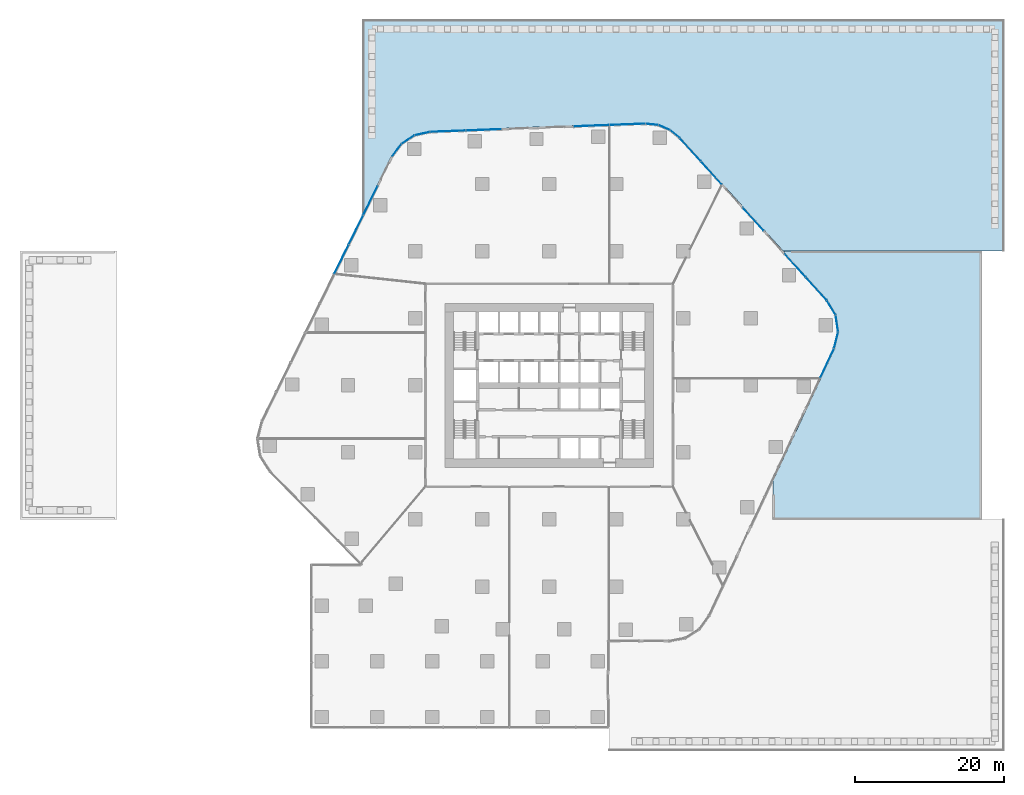
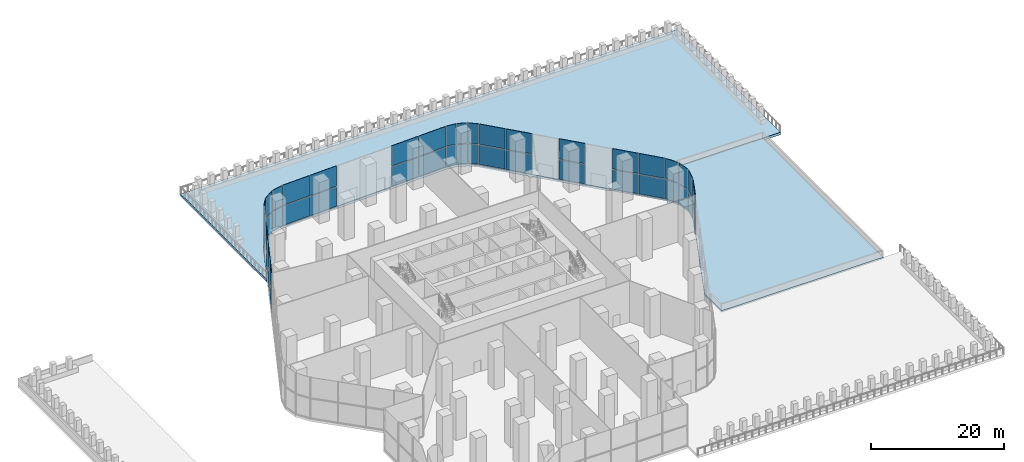
# One storey, part 12 of 22: 44 plates, 2 slabs, 10 elements without a shape of their own.
"""IFC4 building model written with IfcOpenShell, lengths in metres."""

from ifc_helpers import new_model, si_unit, direction, frame, origin, origin_2d, place, context, subcontext, project, spatial, polyline, rectangle, outline, extrude, material, layer, layer_set, type_object, element, aggregate, save


model = new_model("IFC4")

# Units and contexts
model_context = context("Model", 3, precision=1e-05, world=origin(), true_north=direction((0.0, 1.0)))
body_context = subcontext(model_context, "Body", "Model", "MODEL_VIEW")
ifc_project = project(units=[si_unit("LENGTHUNIT", "METRE"), si_unit("AREAUNIT", "SQUARE_METRE"), si_unit("VOLUMEUNIT", "CUBIC_METRE"), si_unit("PLANEANGLEUNIT", "RADIAN"), si_unit("MASSUNIT", "GRAM", prefix="KILO")], contexts=[model_context])

# Site, building, storey
site_placement = place(None, origin())
site = spatial("IfcSite", under=ifc_project, at=site_placement, CompositionType="ELEMENT")
building_placement = place(site_placement, origin())
building = spatial("IfcBuilding", under=site, at=building_placement, Name="Dongbaek Canopy Tower", CompositionType="ELEMENT")
storey_placement = place(building_placement, frame((0.0, 0.0, 19.0)))
storey = spatial("IfcBuildingStorey", under=building, at=storey_placement, Name="L02", CompositionType="ELEMENT", Elevation=19.0)

# Curtain wall, plates
ifc_material_1 = material(Name="Aluminium 6063-T6 pale anodised", Category="aluminium")
ifc_layer_1 = layer(ifc_material_1, 0.300048828125)
ifc_layer_set_1 = layer_set([ifc_layer_1], Name="CW-2 podium hall curtain wall")
curtain_wall_type = type_object("IfcCurtainWallType", Name="CW-2 podium hall curtain wall", PredefinedType="NOTDEFINED", material=ifc_layer_set_1)
curtain_wall_1_placement = place(storey_placement, origin())
curtain_wall_1 = element("IfcCurtainWall", 1, at=curtain_wall_1_placement, inside=storey, type_object=curtain_wall_type, Name="CW-2 curtain wall F0.3", PredefinedType="NOTDEFINED")
ifc_material_2 = material(Name="Clear laminated glass", Category="glass")
ifc_layer_2 = layer(ifc_material_2, 0.035888671875)
ifc_layer_set_2 = layer_set([ifc_layer_2], Name="CW-2 glazed panel 36")
plate_type = type_object("IfcPlateType", Name="CW-2 glazed panel 36", PredefinedType="CURTAIN_PANEL", material=ifc_layer_set_2)
plate_1_placement = place(storey_placement, frame((37.268798828125, 2.931884765625, 0.16015625), z_axis=(0.0, 0.0, 1.0), x_axis=(0.424122871275, 0.905604654395, 0.0)))
plate_1 = element("IfcPlate", 2, at=plate_1_placement, type_object=plate_type, Name="CW-2 panel F0.3.2.1", PredefinedType="CURTAIN_PANEL", context=body_context, shape_type="SweptSolid", body=[
    extrude(rectangle(XDim=4.2841796875, YDim=0.035888671875, at=origin_2d()), origin(), (0.0, 0.0, 1.0), 3.534912109375),
])
plate_2_placement = place(storey_placement, frame((37.268798828125, 2.931884765625, 3.85498046875), z_axis=(0.0, 0.0, 1.0), x_axis=(0.424122871275, 0.905604654395, 0.0)))
plate_2 = element("IfcPlate", 3, at=plate_2_placement, type_object=plate_type, Name="CW-2 panel F0.3.2.2", PredefinedType="CURTAIN_PANEL", context=body_context, shape_type="SweptSolid", body=[
    extrude(rectangle(XDim=4.2841796875, YDim=0.035888671875, at=origin_2d()), origin(), (0.0, 0.0, 1.0), 3.695068359375),
])
aggregate(curtain_wall_1, [plate_1, plate_2])

curtain_wall_2_placement = place(storey_placement, origin())
curtain_wall_2 = element("IfcCurtainWall", 4, at=curtain_wall_2_placement, inside=storey, type_object=curtain_wall_type, Name="CW-2 curtain wall K1.1", PredefinedType="NOTDEFINED")
plate_3_placement = place(storey_placement, frame((38.4755859375, 6.036865234375, 0.16015625), z_axis=(0.0, 0.0, 1.0), x_axis=(0.239977748291, 0.970778388884, 0.0)))
plate_3 = element("IfcPlate", 5, at=plate_3_placement, type_object=plate_type, Name="CW-2 panel K1.1.1.1", PredefinedType="CURTAIN_PANEL", context=body_context, shape_type="SweptSolid", body=[
    extrude(rectangle(XDim=2.19921875, YDim=0.035888671875, at=origin_2d()), origin(), (0.0, 0.0, 1.0), 3.534912109375),
])
plate_4_placement = place(storey_placement, frame((38.4755859375, 6.036865234375, 3.85498046875), z_axis=(0.0, 0.0, 1.0), x_axis=(0.239977748291, 0.970778388884, 0.0)))
plate_4 = element("IfcPlate", 6, at=plate_4_placement, type_object=plate_type, Name="CW-2 panel K1.1.1.2", PredefinedType="CURTAIN_PANEL", context=body_context, shape_type="SweptSolid", body=[
    extrude(rectangle(XDim=2.19921875, YDim=0.035888671875, at=origin_2d()), origin(), (0.0, 0.0, 1.0), 3.695068359375),
])
plate_5_placement = place(storey_placement, frame((38.581787109375, 8.28857421875, 0.16015625), z_axis=(0.0, 0.0, 1.0), x_axis=(-0.148406459989, 0.988926449557, 0.0)))
plate_5 = element("IfcPlate", 7, at=plate_5_placement, type_object=plate_type, Name="CW-2 panel K1.1.2.1", PredefinedType="CURTAIN_PANEL", context=body_context, shape_type="SweptSolid", body=[
    extrude(rectangle(XDim=2.189208984375, YDim=0.035888671875, at=origin_2d()), origin(), (0.0, 0.0, 1.0), 3.534912109375),
])
plate_6_placement = place(storey_placement, frame((38.581787109375, 8.28857421875, 3.85498046875), z_axis=(0.0, 0.0, 1.0), x_axis=(-0.148406459989, 0.988926449557, 0.0)))
plate_6 = element("IfcPlate", 8, at=plate_6_placement, type_object=plate_type, Name="CW-2 panel K1.1.2.2", PredefinedType="CURTAIN_PANEL", context=body_context, shape_type="SweptSolid", body=[
    extrude(rectangle(XDim=2.189208984375, YDim=0.035888671875, at=origin_2d()), origin(), (0.0, 0.0, 1.0), 3.695068359375),
])
plate_7_placement = place(storey_placement, frame((37.8193359375, 10.41015625, 0.16015625), z_axis=(0.0, 0.0, 1.0), x_axis=(-0.514356497159, 0.857576465297, 0.0)))
plate_7 = element("IfcPlate", 9, at=plate_7_placement, type_object=plate_type, Name="CW-2 panel K1.1.3.1", PredefinedType="CURTAIN_PANEL", context=body_context, shape_type="SweptSolid", body=[
    extrude(rectangle(XDim=2.19921875, YDim=0.035888671875, at=origin_2d()), origin(), (0.0, 0.0, 1.0), 3.534912109375),
])
plate_8_placement = place(storey_placement, frame((37.8193359375, 10.41015625, 3.85498046875), z_axis=(0.0, 0.0, 1.0), x_axis=(-0.514356497159, 0.857576465297, 0.0)))
plate_8 = element("IfcPlate", 10, at=plate_8_placement, type_object=plate_type, Name="CW-2 panel K1.1.3.2", PredefinedType="CURTAIN_PANEL", context=body_context, shape_type="SweptSolid", body=[
    extrude(rectangle(XDim=2.19921875, YDim=0.035888671875, at=origin_2d()), origin(), (0.0, 0.0, 1.0), 3.695068359375),
])
aggregate(curtain_wall_2, [plate_3, plate_4, plate_5, plate_6, plate_7, plate_8])

curtain_wall_3_placement = place(storey_placement, origin())
curtain_wall_3 = element("IfcCurtainWall", 11, at=curtain_wall_3_placement, inside=storey, type_object=curtain_wall_type, Name="CW-2 curtain wall F1.1", PredefinedType="NOTDEFINED")
plate_9_placement = place(storey_placement, frame((35.822265625, 12.94873046875, 0.16015625), z_axis=(0.0, 0.0, 1.0), x_axis=(-0.671259708345, 0.741222236547, 0.0)))
plate_9 = element("IfcPlate", 12, at=plate_9_placement, type_object=plate_type, Name="CW-2 panel F1.1.1.1", PredefinedType="CURTAIN_PANEL", context=body_context, shape_type="SweptSolid", body=[
    extrude(rectangle(XDim=4.081298828125, YDim=0.035888671875, at=origin_2d()), origin(), (0.0, 0.0, 1.0), 3.534912109375),
])
plate_10_placement = place(storey_placement, frame((35.822265625, 12.94873046875, 3.85498046875), z_axis=(0.0, 0.0, 1.0), x_axis=(-0.671259708345, 0.741222236547, 0.0)))
plate_10 = element("IfcPlate", 13, at=plate_10_placement, type_object=plate_type, Name="CW-2 panel F1.1.1.2", PredefinedType="CURTAIN_PANEL", context=body_context, shape_type="SweptSolid", body=[
    extrude(rectangle(XDim=4.081298828125, YDim=0.035888671875, at=origin_2d()), origin(), (0.0, 0.0, 1.0), 3.695068359375),
])
plate_11_placement = place(storey_placement, frame((33.009521484375, 16.0546875, 0.16015625), z_axis=(0.0, 0.0, 1.0), x_axis=(-0.671259708345, 0.741222236547, 0.0)))
plate_11 = element("IfcPlate", 14, at=plate_11_placement, type_object=plate_type, Name="CW-2 panel F1.1.2.1", PredefinedType="CURTAIN_PANEL", context=body_context, shape_type="SweptSolid", body=[
    extrude(rectangle(XDim=4.091064453125, YDim=0.035888671875, at=origin_2d()), origin(), (0.0, 0.0, 1.0), 3.534912109375),
])
plate_12_placement = place(storey_placement, frame((33.009521484375, 16.0546875, 3.85498046875), z_axis=(0.0, 0.0, 1.0), x_axis=(-0.671259708345, 0.741222236547, 0.0)))
plate_12 = element("IfcPlate", 15, at=plate_12_placement, type_object=plate_type, Name="CW-2 panel F1.1.2.2", PredefinedType="CURTAIN_PANEL", context=body_context, shape_type="SweptSolid", body=[
    extrude(rectangle(XDim=4.091064453125, YDim=0.035888671875, at=origin_2d()), origin(), (0.0, 0.0, 1.0), 3.695068359375),
])
aggregate(curtain_wall_3, [plate_9, plate_10, plate_11, plate_12])

curtain_wall_4_placement = place(storey_placement, origin())
curtain_wall_4 = element("IfcCurtainWall", 16, at=curtain_wall_4_placement, inside=storey, type_object=curtain_wall_type, Name="CW-2 curtain wall F1.2", PredefinedType="NOTDEFINED")
plate_13_placement = place(storey_placement, frame((27.37744140625, 22.27392578125, 0.16015625), z_axis=(0.0, 0.0, 1.0), x_axis=(-0.671259708345, 0.741222236547, 0.0)))
plate_13 = element("IfcPlate", 17, at=plate_13_placement, type_object=plate_type, Name="CW-2 panel F1.2.1.1", PredefinedType="CURTAIN_PANEL", context=body_context, shape_type="SweptSolid", body=[
    extrude(rectangle(XDim=4.091064453125, YDim=0.035888671875, at=origin_2d()), origin(), (0.0, 0.0, 1.0), 3.534912109375),
])
plate_14_placement = place(storey_placement, frame((27.37744140625, 22.27392578125, 3.85498046875), z_axis=(0.0, 0.0, 1.0), x_axis=(-0.671259708345, 0.741222236547, 0.0)))
plate_14 = element("IfcPlate", 18, at=plate_14_placement, type_object=plate_type, Name="CW-2 panel F1.2.1.2", PredefinedType="CURTAIN_PANEL", context=body_context, shape_type="SweptSolid", body=[
    extrude(rectangle(XDim=4.091064453125, YDim=0.035888671875, at=origin_2d()), origin(), (0.0, 0.0, 1.0), 3.695068359375),
])
aggregate(curtain_wall_4, [plate_13, plate_14])

curtain_wall_5_placement = place(storey_placement, origin())
curtain_wall_5 = element("IfcCurtainWall", 19, at=curtain_wall_5_placement, inside=storey, type_object=curtain_wall_type, Name="CW-2 curtain wall F1.3", PredefinedType="NOTDEFINED")
plate_15_placement = place(storey_placement, frame((21.745361328125, 28.492919921875, 0.16015625), z_axis=(0.0, 0.0, 1.0), x_axis=(-0.671259708345, 0.741222236547, 0.0)))
plate_15 = element("IfcPlate", 20, at=plate_15_placement, type_object=plate_type, Name="CW-2 panel F1.3.1.1", PredefinedType="CURTAIN_PANEL", context=body_context, shape_type="SweptSolid", body=[
    extrude(rectangle(XDim=4.091064453125, YDim=0.035888671875, at=origin_2d()), origin(), (0.0, 0.0, 1.0), 3.534912109375),
])
plate_16_placement = place(storey_placement, frame((21.745361328125, 28.492919921875, 3.85498046875), z_axis=(0.0, 0.0, 1.0), x_axis=(-0.671259708345, 0.741222236547, 0.0)))
plate_16 = element("IfcPlate", 21, at=plate_16_placement, type_object=plate_type, Name="CW-2 panel F1.3.1.2", PredefinedType="CURTAIN_PANEL", context=body_context, shape_type="SweptSolid", body=[
    extrude(rectangle(XDim=4.091064453125, YDim=0.035888671875, at=origin_2d()), origin(), (0.0, 0.0, 1.0), 3.695068359375),
])
plate_17_placement = place(storey_placement, frame((18.931884765625, 31.599609375, 0.16015625), z_axis=(0.0, 0.0, 1.0), x_axis=(-0.671259708345, 0.741222236547, 0.0)))
plate_17 = element("IfcPlate", 22, at=plate_17_placement, type_object=plate_type, Name="CW-2 panel F1.3.2.1", PredefinedType="CURTAIN_PANEL", context=body_context, shape_type="SweptSolid", body=[
    extrude(rectangle(XDim=4.083740234375, YDim=0.035888671875, at=origin_2d()), origin(), (0.0, 0.0, 1.0), 3.534912109375),
])
plate_18_placement = place(storey_placement, frame((18.931884765625, 31.599609375, 3.85498046875), z_axis=(0.0, 0.0, 1.0), x_axis=(-0.671259708345, 0.741222236547, 0.0)))
plate_18 = element("IfcPlate", 23, at=plate_18_placement, type_object=plate_type, Name="CW-2 panel F1.3.2.2", PredefinedType="CURTAIN_PANEL", context=body_context, shape_type="SweptSolid", body=[
    extrude(rectangle(XDim=4.083740234375, YDim=0.035888671875, at=origin_2d()), origin(), (0.0, 0.0, 1.0), 3.695068359375),
])
aggregate(curtain_wall_5, [plate_15, plate_16, plate_17, plate_18])

curtain_wall_6_placement = place(storey_placement, origin())
curtain_wall_6 = element("IfcCurtainWall", 24, at=curtain_wall_6_placement, inside=storey, type_object=curtain_wall_type, Name="CW-2 curtain wall K2.1", PredefinedType="NOTDEFINED")
plate_19_placement = place(storey_placement, frame((16.86328125, 33.6982421875, 0.16015625), z_axis=(0.0, 0.0, 1.0), x_axis=(-0.771648517797, 0.636049184405, 0.0)))
plate_19 = element("IfcPlate", 25, at=plate_19_placement, type_object=plate_type, Name="CW-2 panel K2.1.1.1", PredefinedType="CURTAIN_PANEL", context=body_context, shape_type="SweptSolid", body=[
    extrude(rectangle(XDim=1.6142578125, YDim=0.035888671875, at=origin_2d()), origin(), (0.0, 0.0, 1.0), 3.534912109375),
])
plate_20_placement = place(storey_placement, frame((16.86328125, 33.6982421875, 3.85498046875), z_axis=(0.0, 0.0, 1.0), x_axis=(-0.771648517797, 0.636049184405, 0.0)))
plate_20 = element("IfcPlate", 26, at=plate_20_placement, type_object=plate_type, Name="CW-2 panel K2.1.1.2", PredefinedType="CURTAIN_PANEL", context=body_context, shape_type="SweptSolid", body=[
    extrude(rectangle(XDim=1.6142578125, YDim=0.035888671875, at=origin_2d()), origin(), (0.0, 0.0, 1.0), 3.695068359375),
])
plate_21_placement = place(storey_placement, frame((15.412109375, 34.576416015625, 0.16015625), z_axis=(0.0, 0.0, 1.0), x_axis=(-0.921712269238, 0.387874325956, 0.0)))
plate_21 = element("IfcPlate", 27, at=plate_21_placement, type_object=plate_type, Name="CW-2 panel K2.1.2.1", PredefinedType="CURTAIN_PANEL", context=body_context, shape_type="SweptSolid", body=[
    extrude(rectangle(XDim=1.606689453125, YDim=0.035888671875, at=origin_2d()), origin(), (0.0, 0.0, 1.0), 3.534912109375),
])
plate_22_placement = place(storey_placement, frame((15.412109375, 34.576416015625, 3.85498046875), z_axis=(0.0, 0.0, 1.0), x_axis=(-0.921712269238, 0.387874325956, 0.0)))
plate_22 = element("IfcPlate", 28, at=plate_22_placement, type_object=plate_type, Name="CW-2 panel K2.1.2.2", PredefinedType="CURTAIN_PANEL", context=body_context, shape_type="SweptSolid", body=[
    extrude(rectangle(XDim=1.606689453125, YDim=0.035888671875, at=origin_2d()), origin(), (0.0, 0.0, 1.0), 3.695068359375),
])
plate_23_placement = place(storey_placement, frame((13.76953125, 35.000244140625, 0.16015625), z_axis=(0.0, 0.0, 1.0), x_axis=(-0.994250991543, 0.107074580622, 0.0)))
plate_23 = element("IfcPlate", 29, at=plate_23_placement, type_object=plate_type, Name="CW-2 panel K2.1.3.1", PredefinedType="CURTAIN_PANEL", context=body_context, shape_type="SweptSolid", body=[
    extrude(rectangle(XDim=1.6142578125, YDim=0.035888671875, at=origin_2d()), origin(), (0.0, 0.0, 1.0), 3.534912109375),
])
plate_24_placement = place(storey_placement, frame((13.76953125, 35.000244140625, 3.85498046875), z_axis=(0.0, 0.0, 1.0), x_axis=(-0.994250991543, 0.107074580622, 0.0)))
plate_24 = element("IfcPlate", 30, at=plate_24_placement, type_object=plate_type, Name="CW-2 panel K2.1.3.2", PredefinedType="CURTAIN_PANEL", context=body_context, shape_type="SweptSolid", body=[
    extrude(rectangle(XDim=1.6142578125, YDim=0.035888671875, at=origin_2d()), origin(), (0.0, 0.0, 1.0), 3.695068359375),
])
aggregate(curtain_wall_6, [plate_19, plate_20, plate_21, plate_22, plate_23, plate_24])

curtain_wall_7_placement = place(storey_placement, origin())
curtain_wall_7 = element("IfcCurtainWall", 31, at=curtain_wall_7_placement, inside=storey, type_object=curtain_wall_type, Name="CW-2 curtain wall F2.1", PredefinedType="NOTDEFINED")
plate_25_placement = place(storey_placement, frame((10.507080078125, 35.0, 0.16015625), z_axis=(0.0, 0.0, 1.0), x_axis=(-0.999268890746, -0.038231975991, 0.0)))
plate_25 = element("IfcPlate", 32, at=plate_25_placement, type_object=plate_type, Name="CW-2 panel F2.1.1.1", PredefinedType="CURTAIN_PANEL", context=body_context, shape_type="SweptSolid", body=[
    extrude(rectangle(XDim=4.716064453125, YDim=0.035888671875, at=origin_2d()), origin(), (0.0, 0.0, 1.0), 3.534912109375),
])
plate_26_placement = place(storey_placement, frame((10.507080078125, 35.0, 3.85498046875), z_axis=(0.0, 0.0, 1.0), x_axis=(-0.999268890746, -0.038231975991, 0.0)))
plate_26 = element("IfcPlate", 33, at=plate_26_placement, type_object=plate_type, Name="CW-2 panel F2.1.1.2", PredefinedType="CURTAIN_PANEL", context=body_context, shape_type="SweptSolid", body=[
    extrude(rectangle(XDim=4.716064453125, YDim=0.035888671875, at=origin_2d()), origin(), (0.0, 0.0, 1.0), 3.695068359375),
])
plate_27_placement = place(storey_placement, frame((5.686767578125, 34.815673828125, 0.16015625), z_axis=(0.0, 0.0, 1.0), x_axis=(-0.999268890746, -0.038231975991, 0.0)))
plate_27 = element("IfcPlate", 34, at=plate_27_placement, type_object=plate_type, Name="CW-2 panel F2.1.2.1", PredefinedType="CURTAIN_PANEL", context=body_context, shape_type="SweptSolid", body=[
    extrude(rectangle(XDim=4.723388671875, YDim=0.035888671875, at=origin_2d()), origin(), (0.0, 0.0, 1.0), 3.534912109375),
])
plate_28_placement = place(storey_placement, frame((5.686767578125, 34.815673828125, 3.85498046875), z_axis=(0.0, 0.0, 1.0), x_axis=(-0.999268890746, -0.038231975991, 0.0)))
plate_28 = element("IfcPlate", 35, at=plate_28_placement, type_object=plate_type, Name="CW-2 panel F2.1.2.2", PredefinedType="CURTAIN_PANEL", context=body_context, shape_type="SweptSolid", body=[
    extrude(rectangle(XDim=4.723388671875, YDim=0.035888671875, at=origin_2d()), origin(), (0.0, 0.0, 1.0), 3.695068359375),
])
aggregate(curtain_wall_7, [plate_25, plate_26, plate_27, plate_28])

curtain_wall_8_placement = place(storey_placement, origin())
curtain_wall_8 = element("IfcCurtainWall", 36, at=curtain_wall_8_placement, inside=storey, type_object=curtain_wall_type, Name="CW-2 curtain wall F2.2", PredefinedType="NOTDEFINED")
plate_29_placement = place(storey_placement, frame((-8.784912109375, 34.261962890625, 0.16015625), z_axis=(0.0, 0.0, 1.0), x_axis=(-0.999268890746, -0.038231975991, 0.0)))
plate_29 = element("IfcPlate", 37, at=plate_29_placement, type_object=plate_type, Name="CW-2 panel F2.2.1.1", PredefinedType="CURTAIN_PANEL", context=body_context, shape_type="SweptSolid", body=[
    extrude(rectangle(XDim=4.723388671875, YDim=0.035888671875, at=origin_2d()), origin(), (0.0, 0.0, 1.0), 3.534912109375),
])
plate_30_placement = place(storey_placement, frame((-8.784912109375, 34.261962890625, 3.85498046875), z_axis=(0.0, 0.0, 1.0), x_axis=(-0.999268890746, -0.038231975991, 0.0)))
plate_30 = element("IfcPlate", 38, at=plate_30_placement, type_object=plate_type, Name="CW-2 panel F2.2.1.2", PredefinedType="CURTAIN_PANEL", context=body_context, shape_type="SweptSolid", body=[
    extrude(rectangle(XDim=4.723388671875, YDim=0.035888671875, at=origin_2d()), origin(), (0.0, 0.0, 1.0), 3.695068359375),
])
plate_31_placement = place(storey_placement, frame((-13.604248046875, 34.07763671875, 0.16015625), z_axis=(0.0, 0.0, 1.0), x_axis=(-0.999268890746, -0.038231975991, 0.0)))
plate_31 = element("IfcPlate", 39, at=plate_31_placement, type_object=plate_type, Name="CW-2 panel F2.2.2.1", PredefinedType="CURTAIN_PANEL", context=body_context, shape_type="SweptSolid", body=[
    extrude(rectangle(XDim=4.71435546875, YDim=0.035888671875, at=origin_2d()), origin(), (0.0, 0.0, 1.0), 3.534912109375),
])
plate_32_placement = place(storey_placement, frame((-13.604248046875, 34.07763671875, 3.85498046875), z_axis=(0.0, 0.0, 1.0), x_axis=(-0.999268890746, -0.038231975991, 0.0)))
plate_32 = element("IfcPlate", 40, at=plate_32_placement, type_object=plate_type, Name="CW-2 panel F2.2.2.2", PredefinedType="CURTAIN_PANEL", context=body_context, shape_type="SweptSolid", body=[
    extrude(rectangle(XDim=4.71435546875, YDim=0.035888671875, at=origin_2d()), origin(), (0.0, 0.0, 1.0), 3.695068359375),
])
aggregate(curtain_wall_8, [plate_29, plate_30, plate_31, plate_32])

curtain_wall_9_placement = place(storey_placement, origin())
curtain_wall_9 = element("IfcCurtainWall", 41, at=curtain_wall_9_placement, inside=storey, type_object=curtain_wall_type, Name="CW-2 curtain wall K3.1", PredefinedType="NOTDEFINED")
plate_33_placement = place(storey_placement, frame((-17.04296875, 33.757568359375, 0.16015625), z_axis=(0.0, 0.0, 1.0), x_axis=(-0.976443135991, -0.215774887734, 0.0)))
plate_33 = element("IfcPlate", 42, at=plate_33_placement, type_object=plate_type, Name="CW-2 panel K3.1.1.1", PredefinedType="CURTAIN_PANEL", context=body_context, shape_type="SweptSolid", body=[
    extrude(rectangle(XDim=2.00830078125, YDim=0.035888671875, at=origin_2d()), origin(), (0.0, 0.0, 1.0), 3.534912109375),
])
plate_34_placement = place(storey_placement, frame((-17.04296875, 33.757568359375, 3.85498046875), z_axis=(0.0, 0.0, 1.0), x_axis=(-0.976443135991, -0.215774887734, 0.0)))
plate_34 = element("IfcPlate", 43, at=plate_34_placement, type_object=plate_type, Name="CW-2 panel K3.1.1.2", PredefinedType="CURTAIN_PANEL", context=body_context, shape_type="SweptSolid", body=[
    extrude(rectangle(XDim=2.00830078125, YDim=0.035888671875, at=origin_2d()), origin(), (0.0, 0.0, 1.0), 3.695068359375),
])
plate_35_placement = place(storey_placement, frame((-18.956298828125, 32.956787109375, 0.16015625), z_axis=(0.0, 0.0, 1.0), x_axis=(-0.83866333439, -0.544650173552, 0.0)))
plate_35 = element("IfcPlate", 44, at=plate_35_placement, type_object=plate_type, Name="CW-2 panel K3.1.2.1", PredefinedType="CURTAIN_PANEL", context=body_context, shape_type="SweptSolid", body=[
    extrude(rectangle(XDim=1.999267578125, YDim=0.035888671875, at=origin_2d()), origin(), (0.0, 0.0, 1.0), 3.534912109375),
])
plate_36_placement = place(storey_placement, frame((-18.956298828125, 32.956787109375, 3.85498046875), z_axis=(0.0, 0.0, 1.0), x_axis=(-0.83866333439, -0.544650173552, 0.0)))
plate_36 = element("IfcPlate", 45, at=plate_36_placement, type_object=plate_type, Name="CW-2 panel K3.1.2.2", PredefinedType="CURTAIN_PANEL", context=body_context, shape_type="SweptSolid", body=[
    extrude(rectangle(XDim=1.999267578125, YDim=0.035888671875, at=origin_2d()), origin(), (0.0, 0.0, 1.0), 3.695068359375),
])
plate_37_placement = place(storey_placement, frame((-20.4658203125, 31.53466796875, 0.16015625), z_axis=(0.0, 0.0, 1.0), x_axis=(-0.594253266515, -0.804277971373, 0.0)))
plate_37 = element("IfcPlate", 46, at=plate_37_placement, type_object=plate_type, Name="CW-2 panel K3.1.3.1", PredefinedType="CURTAIN_PANEL", context=body_context, shape_type="SweptSolid", body=[
    extrude(rectangle(XDim=2.00830078125, YDim=0.035888671875, at=origin_2d()), origin(), (0.0, 0.0, 1.0), 3.534912109375),
])
plate_38_placement = place(storey_placement, frame((-20.4658203125, 31.53466796875, 3.85498046875), z_axis=(0.0, 0.0, 1.0), x_axis=(-0.594253266515, -0.804277971373, 0.0)))
plate_38 = element("IfcPlate", 47, at=plate_38_placement, type_object=plate_type, Name="CW-2 panel K3.1.3.2", PredefinedType="CURTAIN_PANEL", context=body_context, shape_type="SweptSolid", body=[
    extrude(rectangle(XDim=2.00830078125, YDim=0.035888671875, at=origin_2d()), origin(), (0.0, 0.0, 1.0), 3.695068359375),
])
aggregate(curtain_wall_9, [plate_33, plate_34, plate_35, plate_36, plate_37, plate_38])

curtain_wall_10_placement = place(storey_placement, origin())
curtain_wall_10 = element("IfcCurtainWall", 48, at=curtain_wall_10_placement, inside=storey, type_object=curtain_wall_type, Name="CW-2 curtain wall F3.1", PredefinedType="NOTDEFINED")
plate_39_placement = place(storey_placement, frame((-24.001953125, 24.771484375, 0.16015625), z_axis=(0.0, 0.0, 1.0), x_axis=(-0.441341613378, -0.897339166815, 0.0)))
plate_39 = element("IfcPlate", 49, at=plate_39_placement, type_object=plate_type, Name="CW-2 panel F3.1.1.1", PredefinedType="CURTAIN_PANEL", context=body_context, shape_type="SweptSolid", body=[
    extrude(rectangle(XDim=4.29541015625, YDim=0.035888671875, at=origin_2d()), origin(), (0.0, 0.0, 1.0), 3.534912109375),
])
plate_40_placement = place(storey_placement, frame((-24.001953125, 24.771484375, 3.85498046875), z_axis=(0.0, 0.0, 1.0), x_axis=(-0.441341613378, -0.897339166815, 0.0)))
plate_40 = element("IfcPlate", 50, at=plate_40_placement, type_object=plate_type, Name="CW-2 panel F3.1.1.2", PredefinedType="CURTAIN_PANEL", context=body_context, shape_type="SweptSolid", body=[
    extrude(rectangle(XDim=4.29541015625, YDim=0.035888671875, at=origin_2d()), origin(), (0.0, 0.0, 1.0), 3.695068359375),
])
plate_41_placement = place(storey_placement, frame((-25.943603515625, 20.82373046875, 0.16015625), z_axis=(0.0, 0.0, 1.0), x_axis=(-0.441341613378, -0.897339166815, 0.0)))
plate_41 = element("IfcPlate", 51, at=plate_41_placement, type_object=plate_type, Name="CW-2 panel F3.1.2.1", PredefinedType="CURTAIN_PANEL", context=body_context, shape_type="SweptSolid", body=[
    extrude(rectangle(XDim=4.29541015625, YDim=0.035888671875, at=origin_2d()), origin(), (0.0, 0.0, 1.0), 3.534912109375),
])
plate_42_placement = place(storey_placement, frame((-25.943603515625, 20.82373046875, 3.85498046875), z_axis=(0.0, 0.0, 1.0), x_axis=(-0.441341613378, -0.897339166815, 0.0)))
plate_42 = element("IfcPlate", 52, at=plate_42_placement, type_object=plate_type, Name="CW-2 panel F3.1.2.2", PredefinedType="CURTAIN_PANEL", context=body_context, shape_type="SweptSolid", body=[
    extrude(rectangle(XDim=4.29541015625, YDim=0.035888671875, at=origin_2d()), origin(), (0.0, 0.0, 1.0), 3.695068359375),
])
plate_43_placement = place(storey_placement, frame((-27.88525390625, 16.8759765625, 0.16015625), z_axis=(0.0, 0.0, 1.0), x_axis=(-0.441341613378, -0.897339166815, 0.0)))
plate_43 = element("IfcPlate", 53, at=plate_43_placement, type_object=plate_type, Name="CW-2 panel F3.1.3.1", PredefinedType="CURTAIN_PANEL", context=body_context, shape_type="SweptSolid", body=[
    extrude(rectangle(XDim=4.29541015625, YDim=0.035888671875, at=origin_2d()), origin(), (0.0, 0.0, 1.0), 3.534912109375),
])
plate_44_placement = place(storey_placement, frame((-27.88525390625, 16.8759765625, 3.85498046875), z_axis=(0.0, 0.0, 1.0), x_axis=(-0.441341613378, -0.897339166815, 0.0)))
plate_44 = element("IfcPlate", 54, at=plate_44_placement, type_object=plate_type, Name="CW-2 panel F3.1.3.2", PredefinedType="CURTAIN_PANEL", context=body_context, shape_type="SweptSolid", body=[
    extrude(rectangle(XDim=4.29541015625, YDim=0.035888671875, at=origin_2d()), origin(), (0.0, 0.0, 1.0), 3.695068359375),
])
aggregate(curtain_wall_10, [plate_39, plate_40, plate_41, plate_42, plate_43, plate_44])

# Slabs
ifc_material_3 = material(Name="Concrete C40", Category="concrete")
ifc_layer_3 = layer(ifc_material_3, 0.449951171875)
ifc_layer_set_3 = layer_set([ifc_layer_3], Name="RC PODIUM DECK SLAB 450 Concrete C40")
slab_type_1 = type_object("IfcSlabType", Name="RC PODIUM DECK SLAB 450 Concrete C40", PredefinedType="ROOF", material=ifc_layer_set_3)
slab_1_placement = place(storey_placement, frame((0.0, 0.0, -0.449951171875)))
element("IfcSlab", 55, at=slab_1_placement, inside=storey, type_object=slab_type_1, Name="Podium roof deck N", PredefinedType="ROOF", context=body_context, shape_type="SweptSolid", body=[
    extrude(outline(polyline([(-25.0, 48.949951171875), (-24.9853515625, 48.9853515625), (-24.949951171875, 49.0), (60.968994140625, 48.99609375), (61.0, 48.949951171875), (60.99609375, 18.031005859375), (60.949951171875, 18.0), (31.386962890625, 18.00341796875), (17.593994140625, 33.2255859375), (16.252685546875, 34.3310546875), (14.64990234375, 35.005615234375), (12.920654296875, 35.192138671875), (-16.0234375, 34.0849609375), (-18.113525390625, 33.623291015625), (-19.90771484375, 32.4580078125), (-21.17919921875, 30.7373046875), (-24.905029296875, 23.161865234375), (-24.934326171875, 23.13623046875), (-24.968505859375, 23.137451171875), (-25.0, 23.183837890625), (-25.0, 48.949951171875)])), origin(), (0.0, 0.0, 1.0), 0.449951171875),
])
ifc_material_4 = material(Name="Concrete C40", Category="concrete")
ifc_layer_4 = layer(ifc_material_4, 0.300048828125)
ifc_layer_set_4 = layer_set([ifc_layer_4], Name="RC ROOF SLAB 300 Concrete C40")
slab_type_2 = type_object("IfcSlabType", Name="RC ROOF SLAB 300 Concrete C40", PredefinedType="ROOF", material=ifc_layer_set_4)
slab_2_placement = place(storey_placement, frame((0.0, 0.0, -0.300048828125)))
element("IfcSlab", 56, at=slab_2_placement, inside=storey, type_object=slab_type_2, Name="ROOFSLAB:EW", PredefinedType="ROOF", context=body_context, shape_type="SweptSolid", body=[
    extrude(outline(polyline([(58.0, 18.0), (58.0, -18.0), (30.0, -18.0), (30.0, -12.824462890625), (38.2939453125, 4.88525390625), (38.85400390625, 7.14990234375), (38.5078125, 9.45703125), (37.307861328125, 11.45751953125), (31.3828125, 18.0), (58.0, 18.0)])), origin(), (0.0, 0.0, 1.0), 0.300048828125),
])

save(model, "model.ifc")
